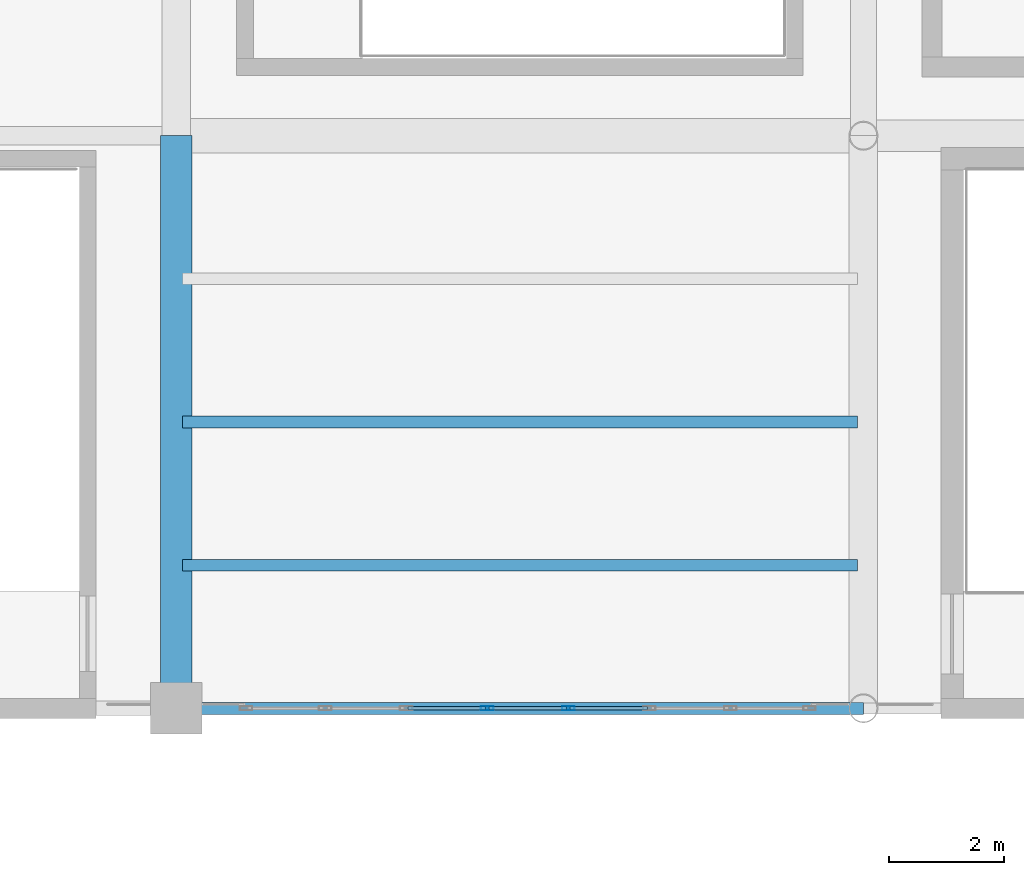
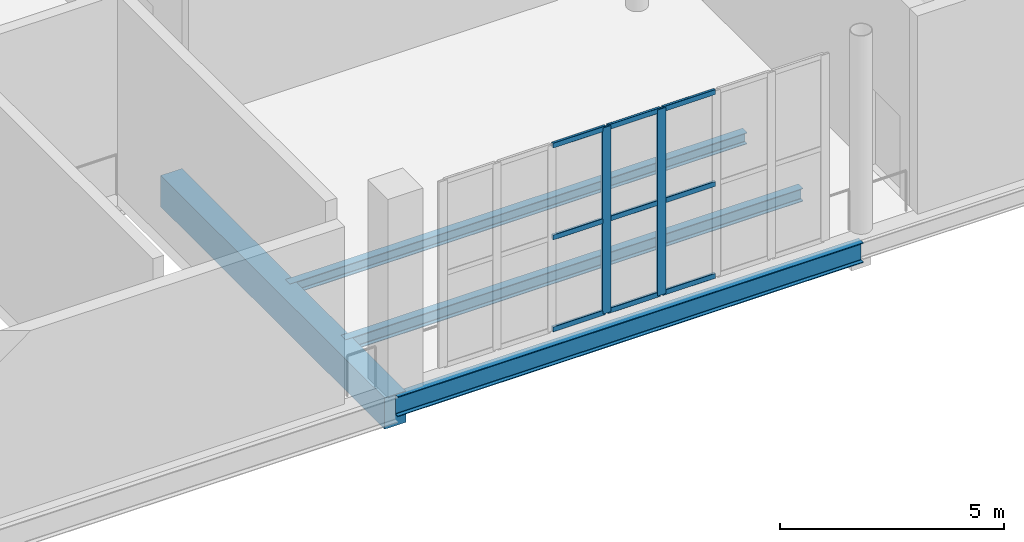
# One storey, part 16 of 74: 11 members, 4 beams, 1 element without a shape of its own.
"""IFC4 building model written with IfcOpenShell, lengths in metres."""

from ifc_helpers import new_model, si_unit, direction, frame, origin, origin_2d, place, context, subcontext, project, spatial, rectangle, hollow_rectangle, i_section, extrude, material, layer, layer_set, material_profile, profile_set, type_object, element, aggregate, save


model = new_model("IFC4")

# Units and contexts
model_context = context("Model", 3, precision=1e-05, world=origin(), true_north=direction((0.0, 1.0)))
body_context = subcontext(model_context, "Body", "Model", "MODEL_VIEW")
ifc_project = project(units=[si_unit("LENGTHUNIT", "METRE"), si_unit("AREAUNIT", "SQUARE_METRE"), si_unit("VOLUMEUNIT", "CUBIC_METRE"), si_unit("PLANEANGLEUNIT", "RADIAN"), si_unit("MASSUNIT", "GRAM", prefix="KILO")], contexts=[model_context])

# Site, building, storey
site_placement = place(None, origin())
site = spatial("IfcSite", under=ifc_project, at=site_placement, CompositionType="ELEMENT")
building_placement = place(site_placement, origin())
building = spatial("IfcBuilding", under=site, at=building_placement, Name="Brinegate Civic Arena", CompositionType="ELEMENT")
storey_placement = place(building_placement, frame((0.0, 0.0, 19.199951171875)))
storey = spatial("IfcBuildingStorey", under=building, at=storey_placement, Name="L04", CompositionType="ELEMENT", Elevation=19.199951171875)

# Curtain wall, members
ifc_material_1 = material(Name="Marine grade aluminium", Category="aluminium")
ifc_layer = layer(ifc_material_1, 0.199951171875, Name="Marine grade aluminium")
ifc_layer_set = layer_set([ifc_layer], Name="Marine grade aluminium")
curtain_wall_type = type_object("IfcCurtainWallType", Name="CW-BOWL-GLAZED-01", PredefinedType="USERDEFINED", material=ifc_layer_set)
curtain_wall_placement = place(storey_placement, origin())
curtain_wall = element("IfcCurtainWall", 1, at=curtain_wall_placement, inside=storey, type_object=curtain_wall_type, Name="Curtain Wall CWA-153", ObjectType="GLAZED CURTAIN WALL", PredefinedType="USERDEFINED")
ifc_material_profile_1 = material_profile(ifc_material_1, hollow_rectangle(XDim=0.06494140625, YDim=0.219970703125, WallThickness=0.006103515625, InnerFilletRadius=0.00390625, OuterFilletRadius=0.008056640625, at=origin_2d()), Name="MUL65X220")
ifc_profile_set_1 = profile_set([ifc_material_profile_1], Name="Marine grade aluminium")
member_type_1 = type_object("IfcMemberType", Name="CW-MULLION-65X220", PredefinedType="MULLION", material=ifc_profile_set_1)
member_1_placement = place(storey_placement, frame((149.430908203125, 10.0, 0.0), z_axis=(0.0, 0.0, 1.0), x_axis=(0.0, 1.0, 0.0)))
member_1 = element("IfcMember", 2, at=member_1_placement, type_object=member_type_1, Name="CWA-153 mullion 4", PredefinedType="MULLION", context=body_context, shape_type="SweptSolid", body=[
    extrude(hollow_rectangle(XDim=0.06494140625, YDim=0.219970703125, WallThickness=0.006103515625, InnerFilletRadius=0.00390625, OuterFilletRadius=0.008056640625, at=origin_2d()), origin(), (0.0, 0.0, 1.0), 5.070068359375),
])
member_2_placement = place(storey_placement, frame((150.845947265625, 10.0, 0.0), z_axis=(0.0, 0.0, 1.0), x_axis=(0.0, 1.0, 0.0)))
member_2 = element("IfcMember", 3, at=member_2_placement, type_object=member_type_1, Name="CWA-153 mullion 5", PredefinedType="MULLION", context=body_context, shape_type="SweptSolid", body=[
    extrude(hollow_rectangle(XDim=0.06494140625, YDim=0.219970703125, WallThickness=0.006103515625, InnerFilletRadius=0.00390625, OuterFilletRadius=0.008056640625, at=origin_2d()), origin(), (0.0, 0.0, 1.0), 5.070068359375),
])
ifc_material_profile_2 = material_profile(ifc_material_1, hollow_rectangle(XDim=0.06494140625, YDim=0.139892578125, WallThickness=0.0048828125, InnerFilletRadius=0.00390625, OuterFilletRadius=0.008056640625, at=origin_2d()), Name="TRN65X140")
ifc_profile_set_2 = profile_set([ifc_material_profile_2], Name="Marine grade aluminium")
member_type_2 = type_object("IfcMemberType", Name="CW-TRANSOM-65X140", PredefinedType="USERDEFINED", material=ifc_profile_set_2)
member_3_placement = place(storey_placement, frame((148.048583984375, 10.0, 0.032470703125), z_axis=(1.0, 0.0, 0.0), x_axis=(0.0, 1.0, 0.0)))
member_3 = element("IfcMember", 4, at=member_3_placement, type_object=member_type_2, Name="CWA-153 transom 3.1", ObjectType="TRANSOM", PredefinedType="USERDEFINED", context=body_context, shape_type="SweptSolid", body=[
    extrude(hollow_rectangle(XDim=0.06494140625, YDim=0.139892578125, WallThickness=0.0048828125, InnerFilletRadius=0.00390625, OuterFilletRadius=0.008056640625, at=origin_2d()), origin(), (0.0, 0.0, 1.0), 1.349853515625),
])
member_4_placement = place(storey_placement, frame((148.048583984375, 10.0, 2.53515625), z_axis=(1.0, 0.0, 0.0), x_axis=(0.0, 1.0, 0.0)))
member_4 = element("IfcMember", 5, at=member_4_placement, type_object=member_type_2, Name="CWA-153 transom 3.2", ObjectType="TRANSOM", PredefinedType="USERDEFINED", context=body_context, shape_type="SweptSolid", body=[
    extrude(hollow_rectangle(XDim=0.06494140625, YDim=0.139892578125, WallThickness=0.0048828125, InnerFilletRadius=0.00390625, OuterFilletRadius=0.008056640625, at=origin_2d()), origin(), (0.0, 0.0, 1.0), 1.349853515625),
])
member_5_placement = place(storey_placement, frame((148.048583984375, 10.0, 5.03759765625), z_axis=(1.0, 0.0, 0.0), x_axis=(0.0, 1.0, 0.0)))
member_5 = element("IfcMember", 6, at=member_5_placement, type_object=member_type_2, Name="CWA-153 transom 3.3", ObjectType="TRANSOM", PredefinedType="USERDEFINED", context=body_context, shape_type="SweptSolid", body=[
    extrude(hollow_rectangle(XDim=0.06494140625, YDim=0.139892578125, WallThickness=0.0048828125, InnerFilletRadius=0.00390625, OuterFilletRadius=0.008056640625, at=origin_2d()), origin(), (0.0, 0.0, 1.0), 1.349853515625),
])
member_6_placement = place(storey_placement, frame((149.46337890625, 10.0, 0.032470703125), z_axis=(1.0, 0.0, 0.0), x_axis=(0.0, 1.0, 0.0)))
member_6 = element("IfcMember", 7, at=member_6_placement, type_object=member_type_2, Name="CWA-153 transom 4.1", ObjectType="TRANSOM", PredefinedType="USERDEFINED", context=body_context, shape_type="SweptSolid", body=[
    extrude(hollow_rectangle(XDim=0.06494140625, YDim=0.139892578125, WallThickness=0.0048828125, InnerFilletRadius=0.00390625, OuterFilletRadius=0.008056640625, at=origin_2d()), origin(), (0.0, 0.0, 1.0), 1.35009765625),
])
member_7_placement = place(storey_placement, frame((149.46337890625, 10.0, 2.53515625), z_axis=(1.0, 0.0, 0.0), x_axis=(0.0, 1.0, 0.0)))
member_7 = element("IfcMember", 8, at=member_7_placement, type_object=member_type_2, Name="CWA-153 transom 4.2", ObjectType="TRANSOM", PredefinedType="USERDEFINED", context=body_context, shape_type="SweptSolid", body=[
    extrude(hollow_rectangle(XDim=0.06494140625, YDim=0.139892578125, WallThickness=0.0048828125, InnerFilletRadius=0.00390625, OuterFilletRadius=0.008056640625, at=origin_2d()), origin(), (0.0, 0.0, 1.0), 1.35009765625),
])
member_8_placement = place(storey_placement, frame((149.46337890625, 10.0, 5.03759765625), z_axis=(1.0, 0.0, 0.0), x_axis=(0.0, 1.0, 0.0)))
member_8 = element("IfcMember", 9, at=member_8_placement, type_object=member_type_2, Name="CWA-153 transom 4.3", ObjectType="TRANSOM", PredefinedType="USERDEFINED", context=body_context, shape_type="SweptSolid", body=[
    extrude(hollow_rectangle(XDim=0.06494140625, YDim=0.139892578125, WallThickness=0.0048828125, InnerFilletRadius=0.00390625, OuterFilletRadius=0.008056640625, at=origin_2d()), origin(), (0.0, 0.0, 1.0), 1.35009765625),
])
member_9_placement = place(storey_placement, frame((150.87841796875, 10.0, 0.032470703125), z_axis=(1.0, 0.0, 0.0), x_axis=(0.0, 1.0, 0.0)))
member_9 = element("IfcMember", 10, at=member_9_placement, type_object=member_type_2, Name="CWA-153 transom 5.1", ObjectType="TRANSOM", PredefinedType="USERDEFINED", context=body_context, shape_type="SweptSolid", body=[
    extrude(hollow_rectangle(XDim=0.06494140625, YDim=0.139892578125, WallThickness=0.0048828125, InnerFilletRadius=0.00390625, OuterFilletRadius=0.008056640625, at=origin_2d()), origin(), (0.0, 0.0, 1.0), 1.35009765625),
])
member_10_placement = place(storey_placement, frame((150.87841796875, 10.0, 2.53515625), z_axis=(1.0, 0.0, 0.0), x_axis=(0.0, 1.0, 0.0)))
member_10 = element("IfcMember", 11, at=member_10_placement, type_object=member_type_2, Name="CWA-153 transom 5.2", ObjectType="TRANSOM", PredefinedType="USERDEFINED", context=body_context, shape_type="SweptSolid", body=[
    extrude(hollow_rectangle(XDim=0.06494140625, YDim=0.139892578125, WallThickness=0.0048828125, InnerFilletRadius=0.00390625, OuterFilletRadius=0.008056640625, at=origin_2d()), origin(), (0.0, 0.0, 1.0), 1.35009765625),
])
member_11_placement = place(storey_placement, frame((150.87841796875, 10.0, 5.03759765625), z_axis=(1.0, 0.0, 0.0), x_axis=(0.0, 1.0, 0.0)))
member_11 = element("IfcMember", 12, at=member_11_placement, type_object=member_type_2, Name="CWA-153 transom 5.3", ObjectType="TRANSOM", PredefinedType="USERDEFINED", context=body_context, shape_type="SweptSolid", body=[
    extrude(hollow_rectangle(XDim=0.06494140625, YDim=0.139892578125, WallThickness=0.0048828125, InnerFilletRadius=0.00390625, OuterFilletRadius=0.008056640625, at=origin_2d()), origin(), (0.0, 0.0, 1.0), 1.35009765625),
])
aggregate(curtain_wall, [member_1, member_2, member_3, member_4, member_5, member_6, member_7, member_8, member_9, member_10, member_11])

# Beams
ifc_material_2 = material(Name="Steel S355", Category="steel")
ifc_material_profile_3 = material_profile(ifc_material_2, i_section(OverallWidth=0.205078125, OverallDepth=0.31005859375, WebThickness=0.009033203125, FlangeThickness=0.01611328125, FilletRadius=0.012939453125, at=origin_2d()), Name="W310X74")
ifc_profile_set_3 = profile_set([ifc_material_profile_3], Name="Steel S355")
beam_type_1 = type_object("IfcBeamType", Name="JOIST-W310X74", PredefinedType="JOIST", material=ifc_profile_set_3)
beam_1_placement = place(storey_placement, frame((144.10595703125, 15.0, -0.494873046875), z_axis=(1.0, 0.0, 0.0), x_axis=(0.0, 1.0, 0.0)))
element("IfcBeam", 13, at=beam_1_placement, inside=storey, type_object=beam_type_1, Name="Secondary Joist BM-L04-JX-12-01-2", PredefinedType="JOIST", context=body_context, shape_type="SweptSolid", body=[
    extrude(i_section(OverallWidth=0.205078125, OverallDepth=0.31005859375, WebThickness=0.009033203125, FlangeThickness=0.01611328125, FilletRadius=0.012939453125, at=origin_2d()), origin(), (0.0, 0.0, 1.0), 11.7880859375),
])
ifc_material_profile_4 = material_profile(ifc_material_2, i_section(OverallWidth=0.205078125, OverallDepth=0.35400390625, WebThickness=0.009033203125, FlangeThickness=0.01708984375, FilletRadius=0.013916015625, at=origin_2d()), Name="W360X79")
ifc_profile_set_4 = profile_set([ifc_material_profile_4], Name="Steel S355")
beam_type_2 = type_object("IfcBeamType", Name="JOIST-W360X79", PredefinedType="JOIST", material=ifc_profile_set_4)
beam_2_placement = place(storey_placement, frame((144.10595703125, 12.5, -0.516845703125), z_axis=(1.0, 0.0, 0.0), x_axis=(0.0, 1.0, 0.0)))
element("IfcBeam", 14, at=beam_2_placement, inside=storey, type_object=beam_type_2, Name="Secondary Joist BM-L04-JX-12-01-1", PredefinedType="JOIST", context=body_context, shape_type="SweptSolid", body=[
    extrude(i_section(OverallWidth=0.205078125, OverallDepth=0.35400390625, WebThickness=0.009033203125, FlangeThickness=0.01708984375, FilletRadius=0.013916015625, at=origin_2d()), origin(), (0.0, 0.0, 1.0), 11.7880859375),
])
ifc_material_3 = material(Name="Concrete C50/60", Category="concrete")
ifc_material_profile_5 = material_profile(ifc_material_3, rectangle(XDim=0.550048828125, YDim=0.85009765625, at=origin_2d()), Name="RCB550X850")
ifc_profile_set_5 = profile_set([ifc_material_profile_5], Name="Concrete C50/60")
beam_type_3 = type_object("IfcBeamType", Name="RCG-550X850", PredefinedType="BEAM", material=ifc_profile_set_5)
beam_3_placement = place(storey_placement, frame((144.0, 10.0, -0.764892578125), z_axis=(0.0, 1.0, 0.0), x_axis=(-1.0, 0.0, 0.0)))
element("IfcBeam", 15, at=beam_3_placement, inside=storey, type_object=beam_type_3, Name="Floor Girder BM-L04-GY-12-01", PredefinedType="BEAM", context=body_context, shape_type="SweptSolid", body=[
    extrude(rectangle(XDim=0.550048828125, YDim=0.85009765625, at=origin_2d()), origin(), (0.0, 0.0, 1.0), 10.0),
])
ifc_material_profile_6 = material_profile(ifc_material_2, i_section(OverallWidth=0.2119140625, OverallDepth=0.5439453125, WebThickness=0.012939453125, FlangeThickness=0.02099609375, FilletRadius=0.01611328125, at=origin_2d()), Name="W530X123")
ifc_profile_set_6 = profile_set([ifc_material_profile_6], Name="Steel S355")
beam_type_4 = type_object("IfcBeamType", Name="SPANDREL-W530X123", PredefinedType="SPANDREL", material=ifc_profile_set_6)
beam_4_placement = place(storey_placement, frame((144.0, 10.0, -0.612060546875), z_axis=(1.0, 0.0, 0.0), x_axis=(0.0, 1.0, 0.0)))
element("IfcBeam", 16, at=beam_4_placement, inside=storey, type_object=beam_type_4, Name="Floor Girder BM-L04-GX-12-01", PredefinedType="SPANDREL", context=body_context, shape_type="SweptSolid", body=[
    extrude(i_section(OverallWidth=0.2119140625, OverallDepth=0.5439453125, WebThickness=0.012939453125, FlangeThickness=0.02099609375, FilletRadius=0.01611328125, at=origin_2d()), origin(), (0.0, 0.0, 1.0), 12.0),
])

save(model, "model.ifc")
